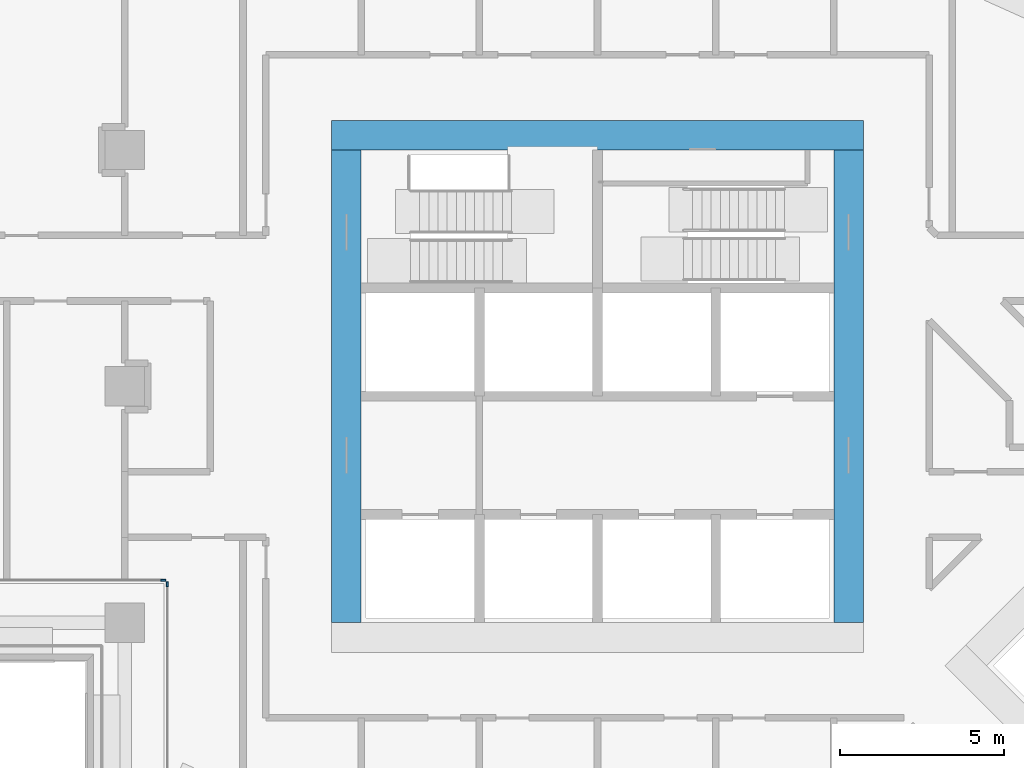
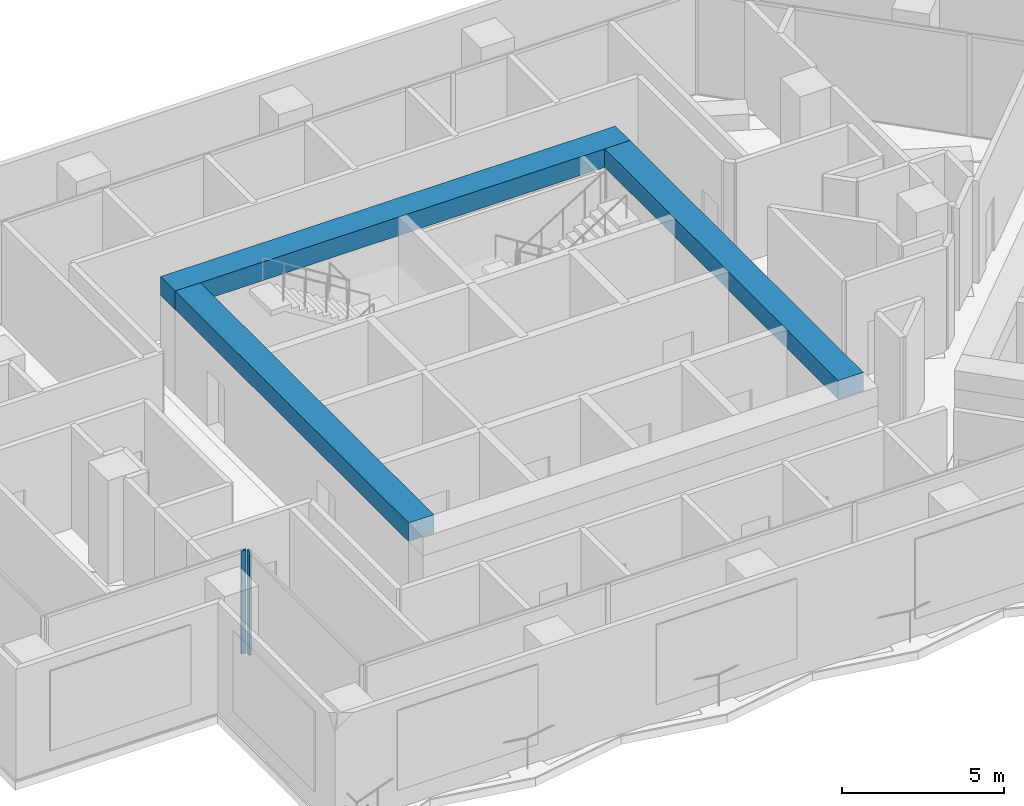
# One storey, part 6 of 24: 3 beams, 2 members, 2 elements without a shape of their own.
"""IFC4 building model written with IfcOpenShell, lengths in metres."""

from ifc_helpers import new_model, si_unit, direction, frame, origin, origin_2d, place, context, subcontext, project, spatial, rectangle, extrude, material, material_profile, profile_set, type_object, element, aggregate, save


model = new_model("IFC4")

# Units and contexts
model_context = context("Model", 3, precision=1e-05, world=origin(), true_north=direction((0.0, 1.0)))
body_context = subcontext(model_context, "Body", "Model", "MODEL_VIEW")
ifc_project = project(units=[si_unit("LENGTHUNIT", "METRE"), si_unit("AREAUNIT", "SQUARE_METRE"), si_unit("VOLUMEUNIT", "CUBIC_METRE"), si_unit("PLANEANGLEUNIT", "RADIAN"), si_unit("MASSUNIT", "GRAM", prefix="KILO")], contexts=[model_context])

# Site, building, storey
site_placement = place(None, origin())
site = spatial("IfcSite", under=ifc_project, at=site_placement, CompositionType="ELEMENT")
building_placement = place(site_placement, origin())
building = spatial("IfcBuilding", under=site, at=building_placement, Name="Windrow Commons", CompositionType="ELEMENT")
storey_placement = place(building_placement, frame((0.0, 0.0, 67.8)))
storey = spatial("IfcBuildingStorey", under=building, at=storey_placement, Name="L18", CompositionType="ELEMENT", Elevation=67.8)

# Curtain wall, member
ifc_material_1 = material(Name="Clear laminated glass in Aluminium 6063-T6 anodised frame", Category="aluminium")
curtain_wall_type = type_object("IfcCurtainWallType", Name="Curtain wall CW2 sky lounge", PredefinedType="USERDEFINED", material=ifc_material_1)
placement = place(storey_placement, origin())
curtain_wall_1 = element("IfcCurtainWall", 1, at=placement, inside=storey, type_object=curtain_wall_type, Name="Curtain wall CW2 L18 10", ObjectType="UNITISED", PredefinedType="USERDEFINED")
ifc_material_2 = material(Name="Aluminium 6063-T6", Category="aluminium")
ifc_material_profile_1 = material_profile(ifc_material_2, rectangle(XDim=0.06, YDim=0.16, at=origin_2d()))
ifc_profile_set_1 = profile_set([ifc_material_profile_1], Name="Aluminium 6063-T6")
member_type = type_object("IfcMemberType", Name="CW2 mullion 60x160", PredefinedType="MULLION", material=ifc_profile_set_1)
member_1_placement = place(storey_placement, frame((51.57, 51.7, 0.0), z_axis=(0.0, 0.0, 1.0), x_axis=(0.0, 1.0, 0.0)))
member_1 = element("IfcMember", 2, at=member_1_placement, type_object=member_type, Name="CW2 mullion 2", PredefinedType="MULLION", context=body_context, shape_type="SweptSolid", body=[
    extrude(rectangle(XDim=0.06, YDim=0.16, at=origin_2d()), origin(), (0.0, 0.0, 1.0), 3.9),
])
aggregate(curtain_wall_1, [member_1])

curtain_wall_2 = element("IfcCurtainWall", 3, at=placement, inside=storey, type_object=curtain_wall_type, Name="Curtain wall CW2 L18 11", ObjectType="UNITISED", PredefinedType="USERDEFINED")
member_2_placement = place(storey_placement, frame((51.7, 51.57, 0.0), z_axis=(0.0, 0.0, 1.0), x_axis=(1.0, 0.0, 0.0)))
member_2 = element("IfcMember", 4, at=member_2_placement, type_object=member_type, Name="CW2 mullion 1", PredefinedType="MULLION", context=body_context, shape_type="SweptSolid", body=[
    extrude(rectangle(XDim=0.06, YDim=0.16, at=origin_2d()), origin(), (0.0, 0.0, 1.0), 3.9),
])
aggregate(curtain_wall_2, [member_2])

# Beams
ifc_material_3 = material(Name="Concrete C60/75", Category="concrete")
ifc_material_profile_2 = material_profile(ifc_material_3, rectangle(XDim=0.9, YDim=0.7, at=origin_2d()))
ifc_profile_set_2 = profile_set([ifc_material_profile_2], Name="Concrete C60/75")
beam_type = type_object("IfcBeamType", Name="RC COUPLING BEAM 900x700 C60/75", PredefinedType="LINTEL", material=ifc_profile_set_2)
beam_placement = place(storey_placement, frame((56.7, 65.25, 3.55), z_axis=(1.0, 0.0, 0.0), x_axis=(0.0, 1.0, 0.0)))
element("IfcBeam", 5, at=beam_placement, inside=storey, type_object=beam_type, Name="Core A coupling beam outer-N", PredefinedType="LINTEL", context=body_context, shape_type="SweptSolid", body=[
    extrude(rectangle(XDim=0.9, YDim=0.7, at=origin_2d()), origin(), (0.0, 0.0, 1.0), 16.2),
])
for number, where, z_axis, x_axis, name in (
    (6, (57.15, 50.4, 3.55), (0.0, 1.0, 0.0), (-1.0, 0.0, 0.0), "Core A coupling beam outer-W"),
    (7, (72.45, 50.4, 3.55), (0.0, 1.0, 0.0), (-1.0, 0.0, 0.0), "Core A coupling beam outer-E"),
):
    element("IfcBeam", number, at=place(storey_placement, frame(where, z_axis=z_axis, x_axis=x_axis)), inside=storey, type_object=beam_type, Name=name, PredefinedType="LINTEL", context=body_context, shape_type="SweptSolid", body=[
        extrude(rectangle(XDim=0.9, YDim=0.7, at=origin_2d()), origin(), (0.0, 0.0, 1.0), 14.4),
    ])

save(model, "model.ifc")
